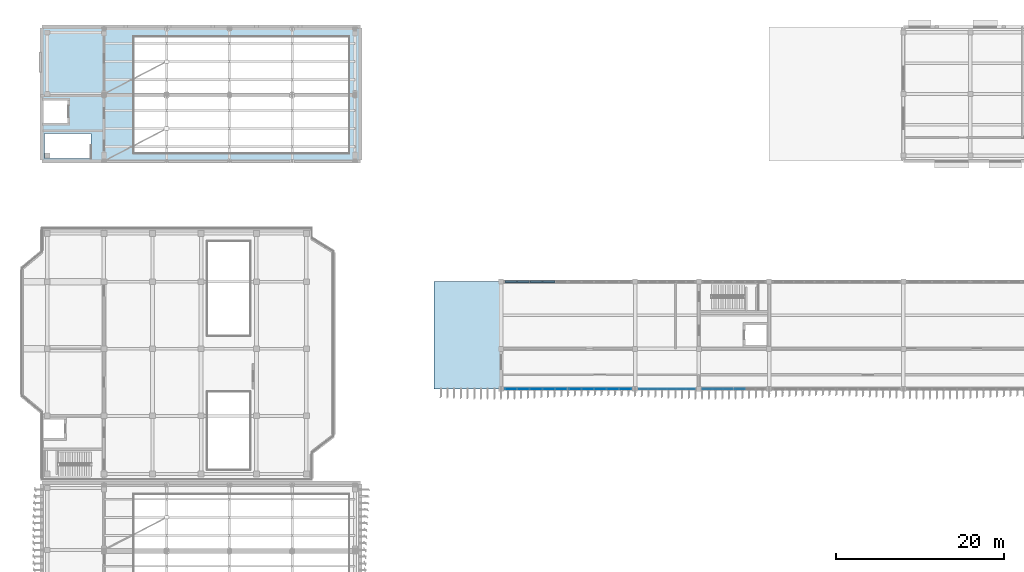
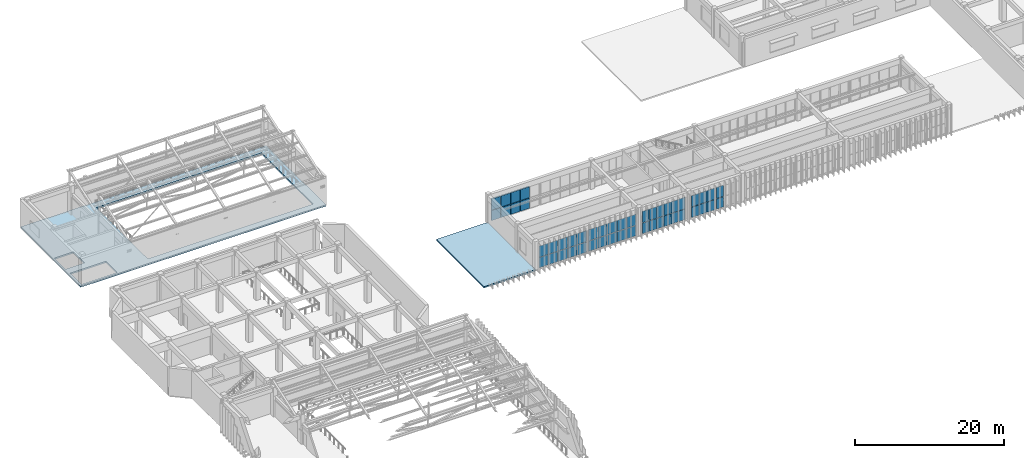
# One storey, part 43 of 76: 48 plates, 2 slabs, 6 elements without a shape of their own.
"""IFC4 building model written with IfcOpenShell, lengths in metres."""

from ifc_helpers import new_model, si_unit, direction, frame, origin, origin_2d, place, context, subcontext, project, spatial, polyline, rectangle, outline, extrude, material, layer, layer_set, type_object, element, aggregate, save


model = new_model("IFC4")

# Units and contexts
model_context = context("Model", 3, precision=1e-05, world=origin(), true_north=direction((0.0, 1.0)))
body_context = subcontext(model_context, "Body", "Model", "MODEL_VIEW")
ifc_project = project(units=[si_unit("LENGTHUNIT", "METRE"), si_unit("AREAUNIT", "SQUARE_METRE"), si_unit("VOLUMEUNIT", "CUBIC_METRE"), si_unit("PLANEANGLEUNIT", "RADIAN"), si_unit("MASSUNIT", "GRAM", prefix="KILO")], contexts=[model_context])

# Site, building, storey
site_placement = place(None, origin())
site = spatial("IfcSite", under=ifc_project, at=site_placement, CompositionType="ELEMENT")
building_placement = place(site_placement, origin())
building = spatial("IfcBuilding", under=site, at=building_placement, Name="Cinchona Park Media Centre", CompositionType="ELEMENT")
storey_placement = place(building_placement, frame((0.0, 0.0, 15.60009765625)))
storey = spatial("IfcBuildingStorey", under=building, at=storey_placement, Name="L03", CompositionType="ELEMENT", Elevation=15.60009765625)

# Curtain wall, plates
ifc_material_1 = material(Name="Aluminium Curtain Wall Framing", Category="aluminium")
ifc_layer_1 = layer(ifc_material_1, 0.284912109375)
ifc_layer_set_1 = layer_set([ifc_layer_1], Name="Aluminium Curtain Wall Framing")
curtain_wall_type_1 = type_object("IfcCurtainWallType", Name="CW-CW08", PredefinedType="USERDEFINED", material=ifc_layer_set_1)
curtain_wall_1_placement = place(storey_placement, origin())
curtain_wall_1 = element("IfcCurtainWall", 1, at=curtain_wall_1_placement, inside=storey, type_object=curtain_wall_type_1, Name="Curtain Wall CW08 L03", ObjectType="UNITISED CURTAIN WALL", PredefinedType="USERDEFINED")
ifc_material_2 = material(Name="Laminated Solar-Control Double Glazing", Category="glass")
ifc_layer_2 = layer(ifc_material_2, 0.0400390625)
ifc_layer_set_2 = layer_set([ifc_layer_2], Name="Laminated Solar-Control Double Glazing")
plate_type_1 = type_object("IfcPlateType", Name="CWPANEL-PNL03", PredefinedType="CURTAIN_PANEL", material=ifc_layer_set_2)
plate_1_placement = place(storey_placement, frame((77.612548828125, 74.800048828125, 0.1201171875), z_axis=(0.0, 0.0, 1.0), x_axis=(-1.0, 0.0, 0.0)))
plate_1 = element("IfcPlate", 2, at=plate_1_placement, type_object=plate_type_1, Name="CW08 panel 1.1", PredefinedType="CURTAIN_PANEL", context=body_context, shape_type="SweptSolid", body=[
    extrude(rectangle(XDim=1.39501953125, YDim=0.0400390625, at=origin_2d()), origin(), (0.0, 0.0, 1.0), 1.660888671875),
])
plate_2_placement = place(storey_placement, frame((77.612548828125, 74.800048828125, 1.850830078125), z_axis=(0.0, 0.0, 1.0), x_axis=(-1.0, 0.0, 0.0)))
plate_2 = element("IfcPlate", 3, at=plate_2_placement, type_object=plate_type_1, Name="CW08 panel 1.2", PredefinedType="CURTAIN_PANEL", context=body_context, shape_type="SweptSolid", body=[
    extrude(rectangle(XDim=1.39501953125, YDim=0.0400390625, at=origin_2d()), origin(), (0.0, 0.0, 1.0), 1.80908203125),
])
plate_3_placement = place(storey_placement, frame((76.1298828125, 74.800048828125, 0.1201171875), z_axis=(0.0, 0.0, 1.0), x_axis=(-1.0, 0.0, 0.0)))
plate_3 = element("IfcPlate", 4, at=plate_3_placement, type_object=plate_type_1, Name="CW08 panel 2.1", PredefinedType="CURTAIN_PANEL", context=body_context, shape_type="SweptSolid", body=[
    extrude(rectangle(XDim=1.429931640625, YDim=0.0400390625, at=origin_2d()), origin(), (0.0, 0.0, 1.0), 1.660888671875),
])
plate_4_placement = place(storey_placement, frame((76.1298828125, 74.800048828125, 1.850830078125), z_axis=(0.0, 0.0, 1.0), x_axis=(-1.0, 0.0, 0.0)))
plate_4 = element("IfcPlate", 5, at=plate_4_placement, type_object=plate_type_1, Name="CW08 panel 2.2", PredefinedType="CURTAIN_PANEL", context=body_context, shape_type="SweptSolid", body=[
    extrude(rectangle(XDim=1.429931640625, YDim=0.0400390625, at=origin_2d()), origin(), (0.0, 0.0, 1.0), 1.80908203125),
])
plate_5_placement = place(storey_placement, frame((74.6298828125, 74.800048828125, 0.1201171875), z_axis=(0.0, 0.0, 1.0), x_axis=(-1.0, 0.0, 0.0)))
plate_5 = element("IfcPlate", 6, at=plate_5_placement, type_object=plate_type_1, Name="CW08 panel 3.1", PredefinedType="CURTAIN_PANEL", context=body_context, shape_type="SweptSolid", body=[
    extrude(rectangle(XDim=1.429931640625, YDim=0.0400390625, at=origin_2d()), origin(), (0.0, 0.0, 1.0), 1.660888671875),
])
plate_6_placement = place(storey_placement, frame((74.6298828125, 74.800048828125, 1.850830078125), z_axis=(0.0, 0.0, 1.0), x_axis=(-1.0, 0.0, 0.0)))
plate_6 = element("IfcPlate", 7, at=plate_6_placement, type_object=plate_type_1, Name="CW08 panel 3.2", PredefinedType="CURTAIN_PANEL", context=body_context, shape_type="SweptSolid", body=[
    extrude(rectangle(XDim=1.429931640625, YDim=0.0400390625, at=origin_2d()), origin(), (0.0, 0.0, 1.0), 1.80908203125),
])
plate_7_placement = place(storey_placement, frame((73.1298828125, 74.800048828125, 0.1201171875), z_axis=(0.0, 0.0, 1.0), x_axis=(-1.0, 0.0, 0.0)))
plate_7 = element("IfcPlate", 8, at=plate_7_placement, type_object=plate_type_1, Name="CW08 panel 4.1", PredefinedType="CURTAIN_PANEL", context=body_context, shape_type="SweptSolid", body=[
    extrude(rectangle(XDim=1.429931640625, YDim=0.0400390625, at=origin_2d()), origin(), (0.0, 0.0, 1.0), 1.660888671875),
])
plate_8_placement = place(storey_placement, frame((73.1298828125, 74.800048828125, 1.850830078125), z_axis=(0.0, 0.0, 1.0), x_axis=(-1.0, 0.0, 0.0)))
plate_8 = element("IfcPlate", 9, at=plate_8_placement, type_object=plate_type_1, Name="CW08 panel 4.2", PredefinedType="CURTAIN_PANEL", context=body_context, shape_type="SweptSolid", body=[
    extrude(rectangle(XDim=1.429931640625, YDim=0.0400390625, at=origin_2d()), origin(), (0.0, 0.0, 1.0), 1.80908203125),
])
plate_9_placement = place(storey_placement, frame((71.6474609375, 74.800048828125, 0.1201171875), z_axis=(0.0, 0.0, 1.0), x_axis=(-1.0, 0.0, 0.0)))
plate_9 = element("IfcPlate", 10, at=plate_9_placement, type_object=plate_type_1, Name="CW08 panel 5.1", PredefinedType="CURTAIN_PANEL", context=body_context, shape_type="SweptSolid", body=[
    extrude(rectangle(XDim=1.39501953125, YDim=0.0400390625, at=origin_2d()), origin(), (0.0, 0.0, 1.0), 1.660888671875),
])
plate_10_placement = place(storey_placement, frame((71.6474609375, 74.800048828125, 1.850830078125), z_axis=(0.0, 0.0, 1.0), x_axis=(-1.0, 0.0, 0.0)))
plate_10 = element("IfcPlate", 11, at=plate_10_placement, type_object=plate_type_1, Name="CW08 panel 5.2", PredefinedType="CURTAIN_PANEL", context=body_context, shape_type="SweptSolid", body=[
    extrude(rectangle(XDim=1.39501953125, YDim=0.0400390625, at=origin_2d()), origin(), (0.0, 0.0, 1.0), 1.80908203125),
])
aggregate(curtain_wall_1, [plate_1, plate_2, plate_3, plate_4, plate_5, plate_6, plate_7, plate_8, plate_9, plate_10])

ifc_material_3 = material(Name="Aluminium Curtain Wall Framing", Category="aluminium")
ifc_layer_3 = layer(ifc_material_3, 0.300048828125)
ifc_layer_set_3 = layer_set([ifc_layer_3], Name="Aluminium Curtain Wall Framing")
curtain_wall_type_2 = type_object("IfcCurtainWallType", Name="CW-CW09", PredefinedType="USERDEFINED", material=ifc_layer_set_3)
curtain_wall_2_placement = place(storey_placement, origin())
curtain_wall_2 = element("IfcCurtainWall", 12, at=curtain_wall_2_placement, inside=storey, type_object=curtain_wall_type_2, Name="Curtain Wall CW09 L03", ObjectType="UNITISED CURTAIN WALL", PredefinedType="USERDEFINED")
ifc_material_4 = material(Name="Laminated Solar-Control Double Glazing", Category="glass")
ifc_layer_4 = layer(ifc_material_4, 0.06005859375)
ifc_layer_set_4 = layer_set([ifc_layer_4], Name="Laminated Solar-Control Double Glazing")
plate_type_2 = type_object("IfcPlateType", Name="CWPANEL-PNL05", PredefinedType="CURTAIN_PANEL", material=ifc_layer_set_4)
plate_11_placement = place(storey_placement, frame((69.952392578125, 74.800048828125, 0.1201171875), z_axis=(0.0, 0.0, 1.0), x_axis=(-1.0, 0.0, 0.0)))
plate_11 = element("IfcPlate", 13, at=plate_11_placement, type_object=plate_type_2, Name="CW09 panel 1.1", PredefinedType="CURTAIN_PANEL", context=body_context, shape_type="SweptSolid", body=[
    extrude(rectangle(XDim=1.39501953125, YDim=0.06005859375, at=origin_2d()), origin(), (0.0, 0.0, 1.0), 1.660888671875),
])
plate_12_placement = place(storey_placement, frame((69.952392578125, 74.800048828125, 1.850830078125), z_axis=(0.0, 0.0, 1.0), x_axis=(-1.0, 0.0, 0.0)))
plate_12 = element("IfcPlate", 14, at=plate_12_placement, type_object=plate_type_2, Name="CW09 panel 1.2", PredefinedType="CURTAIN_PANEL", context=body_context, shape_type="SweptSolid", body=[
    extrude(rectangle(XDim=1.39501953125, YDim=0.06005859375, at=origin_2d()), origin(), (0.0, 0.0, 1.0), 1.80908203125),
])
plate_13_placement = place(storey_placement, frame((68.469970703125, 74.800048828125, 0.1201171875), z_axis=(0.0, 0.0, 1.0), x_axis=(-1.0, 0.0, 0.0)))
plate_13 = element("IfcPlate", 15, at=plate_13_placement, type_object=plate_type_2, Name="CW09 panel 2.1", PredefinedType="CURTAIN_PANEL", context=body_context, shape_type="SweptSolid", body=[
    extrude(rectangle(XDim=1.429931640625, YDim=0.06005859375, at=origin_2d()), origin(), (0.0, 0.0, 1.0), 1.660888671875),
])
plate_14_placement = place(storey_placement, frame((68.469970703125, 74.800048828125, 1.850830078125), z_axis=(0.0, 0.0, 1.0), x_axis=(-1.0, 0.0, 0.0)))
plate_14 = element("IfcPlate", 16, at=plate_14_placement, type_object=plate_type_2, Name="CW09 panel 2.2", PredefinedType="CURTAIN_PANEL", context=body_context, shape_type="SweptSolid", body=[
    extrude(rectangle(XDim=1.429931640625, YDim=0.06005859375, at=origin_2d()), origin(), (0.0, 0.0, 1.0), 1.80908203125),
])
plate_15_placement = place(storey_placement, frame((66.969970703125, 74.800048828125, 0.1201171875), z_axis=(0.0, 0.0, 1.0), x_axis=(-1.0, 0.0, 0.0)))
plate_15 = element("IfcPlate", 17, at=plate_15_placement, type_object=plate_type_2, Name="CW09 panel 3.1", PredefinedType="CURTAIN_PANEL", context=body_context, shape_type="SweptSolid", body=[
    extrude(rectangle(XDim=1.429931640625, YDim=0.06005859375, at=origin_2d()), origin(), (0.0, 0.0, 1.0), 1.660888671875),
])
plate_16_placement = place(storey_placement, frame((66.969970703125, 74.800048828125, 1.850830078125), z_axis=(0.0, 0.0, 1.0), x_axis=(-1.0, 0.0, 0.0)))
plate_16 = element("IfcPlate", 18, at=plate_16_placement, type_object=plate_type_2, Name="CW09 panel 3.2", PredefinedType="CURTAIN_PANEL", context=body_context, shape_type="SweptSolid", body=[
    extrude(rectangle(XDim=1.429931640625, YDim=0.06005859375, at=origin_2d()), origin(), (0.0, 0.0, 1.0), 1.80908203125),
])
plate_17_placement = place(storey_placement, frame((65.469970703125, 74.800048828125, 0.1201171875), z_axis=(0.0, 0.0, 1.0), x_axis=(-1.0, 0.0, 0.0)))
plate_17 = element("IfcPlate", 19, at=plate_17_placement, type_object=plate_type_2, Name="CW09 panel 4.1", PredefinedType="CURTAIN_PANEL", context=body_context, shape_type="SweptSolid", body=[
    extrude(rectangle(XDim=1.429931640625, YDim=0.06005859375, at=origin_2d()), origin(), (0.0, 0.0, 1.0), 1.660888671875),
])
plate_18_placement = place(storey_placement, frame((65.469970703125, 74.800048828125, 1.850830078125), z_axis=(0.0, 0.0, 1.0), x_axis=(-1.0, 0.0, 0.0)))
plate_18 = element("IfcPlate", 20, at=plate_18_placement, type_object=plate_type_2, Name="CW09 panel 4.2", PredefinedType="CURTAIN_PANEL", context=body_context, shape_type="SweptSolid", body=[
    extrude(rectangle(XDim=1.429931640625, YDim=0.06005859375, at=origin_2d()), origin(), (0.0, 0.0, 1.0), 1.80908203125),
])
plate_19_placement = place(storey_placement, frame((63.987548828125, 74.800048828125, 0.1201171875), z_axis=(0.0, 0.0, 1.0), x_axis=(-1.0, 0.0, 0.0)))
plate_19 = element("IfcPlate", 21, at=plate_19_placement, type_object=plate_type_2, Name="CW09 panel 5.1", PredefinedType="CURTAIN_PANEL", context=body_context, shape_type="SweptSolid", body=[
    extrude(rectangle(XDim=1.39501953125, YDim=0.06005859375, at=origin_2d()), origin(), (0.0, 0.0, 1.0), 1.660888671875),
])
plate_20_placement = place(storey_placement, frame((63.987548828125, 74.800048828125, 1.850830078125), z_axis=(0.0, 0.0, 1.0), x_axis=(-1.0, 0.0, 0.0)))
plate_20 = element("IfcPlate", 22, at=plate_20_placement, type_object=plate_type_2, Name="CW09 panel 5.2", PredefinedType="CURTAIN_PANEL", context=body_context, shape_type="SweptSolid", body=[
    extrude(rectangle(XDim=1.39501953125, YDim=0.06005859375, at=origin_2d()), origin(), (0.0, 0.0, 1.0), 1.80908203125),
])
aggregate(curtain_wall_2, [plate_11, plate_12, plate_13, plate_14, plate_15, plate_16, plate_17, plate_18, plate_19, plate_20])

ifc_material_5 = material(Name="Aluminium Curtain Wall Framing", Category="aluminium")
ifc_layer_5 = layer(ifc_material_5, 0.179931640625)
ifc_layer_set_5 = layer_set([ifc_layer_5], Name="Aluminium Curtain Wall Framing")
curtain_wall_type_3 = type_object("IfcCurtainWallType", Name="CW-CW01", PredefinedType="USERDEFINED", material=ifc_layer_set_5)
curtain_wall_3_placement = place(storey_placement, origin())
curtain_wall_3 = element("IfcCurtainWall", 23, at=curtain_wall_3_placement, inside=storey, type_object=curtain_wall_type_3, Name="Curtain Wall CW01 L03", ObjectType="UNITISED CURTAIN WALL", PredefinedType="USERDEFINED")
ifc_material_6 = material(Name="Laminated Solar-Control Double Glazing", Category="glass")
ifc_layer_6 = layer(ifc_material_6, 0.070068359375)
ifc_layer_set_6 = layer_set([ifc_layer_6], Name="Laminated Solar-Control Double Glazing")
plate_type_3 = type_object("IfcPlateType", Name="CWPANEL-PNL06", PredefinedType="CURTAIN_PANEL", material=ifc_layer_set_6)
plate_21_placement = place(storey_placement, frame((85.400390625, 74.800048828125, 0.11474609375), z_axis=(0.0, 0.0, 1.0), x_axis=(-1.0, 0.0, 0.0)))
plate_21 = element("IfcPlate", 24, at=plate_21_placement, type_object=plate_type_3, Name="CW01 panel 1.1", PredefinedType="CURTAIN_PANEL", context=body_context, shape_type="SweptSolid", body=[
    extrude(rectangle(XDim=1.029052734375, YDim=0.070068359375, at=origin_2d()), origin(), (0.0, 0.0, 1.0), 1.716552734375),
])
plate_22_placement = place(storey_placement, frame((85.400390625, 74.800048828125, 1.896484375), z_axis=(0.0, 0.0, 1.0), x_axis=(-1.0, 0.0, 0.0)))
plate_22 = element("IfcPlate", 25, at=plate_22_placement, type_object=plate_type_3, Name="CW01 panel 1.2", PredefinedType="CURTAIN_PANEL", context=body_context, shape_type="SweptSolid", body=[
    extrude(rectangle(XDim=1.029052734375, YDim=0.070068359375, at=origin_2d()), origin(), (0.0, 0.0, 1.0), 1.868408203125),
])
plate_23_placement = place(storey_placement, frame((84.2900390625, 74.800048828125, 0.11474609375), z_axis=(0.0, 0.0, 1.0), x_axis=(-1.0, 0.0, 0.0)))
plate_23 = element("IfcPlate", 26, at=plate_23_placement, type_object=plate_type_3, Name="CW01 panel 2.1", PredefinedType="CURTAIN_PANEL", context=body_context, shape_type="SweptSolid", body=[
    extrude(rectangle(XDim=1.061767578125, YDim=0.070068359375, at=origin_2d()), origin(), (0.0, 0.0, 1.0), 1.716552734375),
])
plate_24_placement = place(storey_placement, frame((84.2900390625, 74.800048828125, 1.896484375), z_axis=(0.0, 0.0, 1.0), x_axis=(-1.0, 0.0, 0.0)))
plate_24 = element("IfcPlate", 27, at=plate_24_placement, type_object=plate_type_3, Name="CW01 panel 2.2", PredefinedType="CURTAIN_PANEL", context=body_context, shape_type="SweptSolid", body=[
    extrude(rectangle(XDim=1.061767578125, YDim=0.070068359375, at=origin_2d()), origin(), (0.0, 0.0, 1.0), 1.868408203125),
])
plate_25_placement = place(storey_placement, frame((83.163330078125, 74.800048828125, 0.11474609375), z_axis=(0.0, 0.0, 1.0), x_axis=(-1.0, 0.0, 0.0)))
plate_25 = element("IfcPlate", 28, at=plate_25_placement, type_object=plate_type_3, Name="CW01 panel 3.1", PredefinedType="CURTAIN_PANEL", context=body_context, shape_type="SweptSolid", body=[
    extrude(rectangle(XDim=1.061767578125, YDim=0.070068359375, at=origin_2d()), origin(), (0.0, 0.0, 1.0), 1.716552734375),
])
plate_26_placement = place(storey_placement, frame((83.163330078125, 74.800048828125, 1.896484375), z_axis=(0.0, 0.0, 1.0), x_axis=(-1.0, 0.0, 0.0)))
plate_26 = element("IfcPlate", 29, at=plate_26_placement, type_object=plate_type_3, Name="CW01 panel 3.2", PredefinedType="CURTAIN_PANEL", context=body_context, shape_type="SweptSolid", body=[
    extrude(rectangle(XDim=1.061767578125, YDim=0.070068359375, at=origin_2d()), origin(), (0.0, 0.0, 1.0), 1.868408203125),
])
plate_27_placement = place(storey_placement, frame((82.03662109375, 74.800048828125, 0.11474609375), z_axis=(0.0, 0.0, 1.0), x_axis=(-1.0, 0.0, 0.0)))
plate_27 = element("IfcPlate", 30, at=plate_27_placement, type_object=plate_type_3, Name="CW01 panel 4.1", PredefinedType="CURTAIN_PANEL", context=body_context, shape_type="SweptSolid", body=[
    extrude(rectangle(XDim=1.061767578125, YDim=0.070068359375, at=origin_2d()), origin(), (0.0, 0.0, 1.0), 1.716552734375),
])
plate_28_placement = place(storey_placement, frame((82.03662109375, 74.800048828125, 1.896484375), z_axis=(0.0, 0.0, 1.0), x_axis=(-1.0, 0.0, 0.0)))
plate_28 = element("IfcPlate", 31, at=plate_28_placement, type_object=plate_type_3, Name="CW01 panel 4.2", PredefinedType="CURTAIN_PANEL", context=body_context, shape_type="SweptSolid", body=[
    extrude(rectangle(XDim=1.061767578125, YDim=0.070068359375, at=origin_2d()), origin(), (0.0, 0.0, 1.0), 1.868408203125),
])
plate_29_placement = place(storey_placement, frame((80.909912109375, 74.800048828125, 0.11474609375), z_axis=(0.0, 0.0, 1.0), x_axis=(-1.0, 0.0, 0.0)))
plate_29 = element("IfcPlate", 32, at=plate_29_placement, type_object=plate_type_3, Name="CW01 panel 5.1", PredefinedType="CURTAIN_PANEL", context=body_context, shape_type="SweptSolid", body=[
    extrude(rectangle(XDim=1.061767578125, YDim=0.070068359375, at=origin_2d()), origin(), (0.0, 0.0, 1.0), 1.716552734375),
])
plate_30_placement = place(storey_placement, frame((80.909912109375, 74.800048828125, 1.896484375), z_axis=(0.0, 0.0, 1.0), x_axis=(-1.0, 0.0, 0.0)))
plate_30 = element("IfcPlate", 33, at=plate_30_placement, type_object=plate_type_3, Name="CW01 panel 5.2", PredefinedType="CURTAIN_PANEL", context=body_context, shape_type="SweptSolid", body=[
    extrude(rectangle(XDim=1.061767578125, YDim=0.070068359375, at=origin_2d()), origin(), (0.0, 0.0, 1.0), 1.868408203125),
])
plate_31_placement = place(storey_placement, frame((79.799560546875, 74.800048828125, 0.11474609375), z_axis=(0.0, 0.0, 1.0), x_axis=(-1.0, 0.0, 0.0)))
plate_31 = element("IfcPlate", 34, at=plate_31_placement, type_object=plate_type_3, Name="CW01 panel 6.1", PredefinedType="CURTAIN_PANEL", context=body_context, shape_type="SweptSolid", body=[
    extrude(rectangle(XDim=1.029052734375, YDim=0.070068359375, at=origin_2d()), origin(), (0.0, 0.0, 1.0), 1.716552734375),
])
plate_32_placement = place(storey_placement, frame((79.799560546875, 74.800048828125, 1.896484375), z_axis=(0.0, 0.0, 1.0), x_axis=(-1.0, 0.0, 0.0)))
plate_32 = element("IfcPlate", 35, at=plate_32_placement, type_object=plate_type_3, Name="CW01 panel 6.2", PredefinedType="CURTAIN_PANEL", context=body_context, shape_type="SweptSolid", body=[
    extrude(rectangle(XDim=1.029052734375, YDim=0.070068359375, at=origin_2d()), origin(), (0.0, 0.0, 1.0), 1.868408203125),
])
aggregate(curtain_wall_3, [plate_21, plate_22, plate_23, plate_24, plate_25, plate_26, plate_27, plate_28, plate_29, plate_30, plate_31, plate_32])

ifc_material_7 = material(Name="Aluminium Curtain Wall Framing", Category="aluminium")
ifc_layer_7 = layer(ifc_material_7, 0.195068359375)
ifc_layer_set_7 = layer_set([ifc_layer_7], Name="Aluminium Curtain Wall Framing")
curtain_wall_type_4 = type_object("IfcCurtainWallType", Name="CW-CW02", PredefinedType="USERDEFINED", material=ifc_layer_set_7)
curtain_wall_4_placement = place(storey_placement, origin())
curtain_wall_4 = element("IfcCurtainWall", 36, at=curtain_wall_4_placement, inside=storey, type_object=curtain_wall_type_4, Name="Curtain Wall CW02 L03", ObjectType="UNITISED CURTAIN WALL", PredefinedType="USERDEFINED")
ifc_material_8 = material(Name="Insulated Acoustic Aluminium-Glass Spandrel Cassette", Category="aluminium")
ifc_layer_8 = layer(ifc_material_8, 0.090087890625)
ifc_layer_set_8 = layer_set([ifc_layer_8], Name="Insulated Acoustic Aluminium-Glass Spandrel Cassette")
plate_type_4 = type_object("IfcPlateType", Name="CWPANEL-PNL08", PredefinedType="CURTAIN_PANEL", material=ifc_layer_set_8)
plate_33_placement = place(storey_placement, frame((91.314208984375, 74.800048828125, 0.1201171875), z_axis=(0.0, 0.0, 1.0), x_axis=(-1.0, 0.0, 0.0)))
plate_33 = element("IfcPlate", 37, at=plate_33_placement, type_object=plate_type_4, Name="CW02 panel 3.1", PredefinedType="CURTAIN_PANEL", context=body_context, shape_type="SweptSolid", body=[
    extrude(rectangle(XDim=1.12841796875, YDim=0.090087890625, at=origin_2d()), origin(), (0.0, 0.0, 1.0), 1.660888671875),
])
plate_34_placement = place(storey_placement, frame((91.314208984375, 74.800048828125, 1.850830078125), z_axis=(0.0, 0.0, 1.0), x_axis=(-1.0, 0.0, 0.0)))
plate_34 = element("IfcPlate", 38, at=plate_34_placement, type_object=plate_type_4, Name="CW02 panel 3.2", PredefinedType="CURTAIN_PANEL", context=body_context, shape_type="SweptSolid", body=[
    extrude(rectangle(XDim=1.12841796875, YDim=0.090087890625, at=origin_2d()), origin(), (0.0, 0.0, 1.0), 1.80908203125),
])
aggregate(curtain_wall_4, [plate_33, plate_34])

ifc_material_9 = material(Name="Aluminium Curtain Wall Framing", Category="aluminium")
ifc_layer_9 = layer(ifc_material_9, 0.2099609375)
ifc_layer_set_9 = layer_set([ifc_layer_9], Name="Aluminium Curtain Wall Framing")
curtain_wall_type_5 = type_object("IfcCurtainWallType", Name="CW-CW03", PredefinedType="USERDEFINED", material=ifc_layer_set_9)
curtain_wall_5_placement = place(storey_placement, origin())
curtain_wall_5 = element("IfcCurtainWall", 39, at=curtain_wall_5_placement, inside=storey, type_object=curtain_wall_type_5, Name="Curtain Wall CW03 L03", ObjectType="UNITISED CURTAIN WALL", PredefinedType="USERDEFINED")
ifc_material_10 = material(Name="Insulated Acoustic Aluminium-Glass Spandrel Cassette", Category="aluminium")
ifc_layer_10 = layer(ifc_material_10, 0.110107421875)
ifc_layer_set_10 = layer_set([ifc_layer_10], Name="Insulated Acoustic Aluminium-Glass Spandrel Cassette")
plate_type_5 = type_object("IfcPlateType", Name="CWPANEL-PNL10", PredefinedType="CURTAIN_PANEL", material=ifc_layer_set_10)
plate_35_placement = place(storey_placement, frame((89.8857421875, 74.800048828125, 0.1201171875), z_axis=(0.0, 0.0, 1.0), x_axis=(-1.0, 0.0, 0.0)))
plate_35 = element("IfcPlate", 40, at=plate_35_placement, type_object=plate_type_5, Name="CW03 panel 1.1", PredefinedType="CURTAIN_PANEL", context=body_context, shape_type="SweptSolid", body=[
    extrude(rectangle(XDim=1.12841796875, YDim=0.110107421875, at=origin_2d()), origin(), (0.0, 0.0, 1.0), 1.660888671875),
])
plate_36_placement = place(storey_placement, frame((89.8857421875, 74.800048828125, 1.850830078125), z_axis=(0.0, 0.0, 1.0), x_axis=(-1.0, 0.0, 0.0)))
plate_36 = element("IfcPlate", 41, at=plate_36_placement, type_object=plate_type_5, Name="CW03 panel 1.2", PredefinedType="CURTAIN_PANEL", context=body_context, shape_type="SweptSolid", body=[
    extrude(rectangle(XDim=1.12841796875, YDim=0.110107421875, at=origin_2d()), origin(), (0.0, 0.0, 1.0), 1.80908203125),
])
plate_37_placement = place(storey_placement, frame((88.669921875, 74.800048828125, 0.1201171875), z_axis=(0.0, 0.0, 1.0), x_axis=(-1.0, 0.0, 0.0)))
plate_37 = element("IfcPlate", 42, at=plate_37_placement, type_object=plate_type_5, Name="CW03 panel 2.1", PredefinedType="CURTAIN_PANEL", context=body_context, shape_type="SweptSolid", body=[
    extrude(rectangle(XDim=1.163330078125, YDim=0.110107421875, at=origin_2d()), origin(), (0.0, 0.0, 1.0), 1.660888671875),
])
plate_38_placement = place(storey_placement, frame((88.669921875, 74.800048828125, 1.850830078125), z_axis=(0.0, 0.0, 1.0), x_axis=(-1.0, 0.0, 0.0)))
plate_38 = element("IfcPlate", 43, at=plate_38_placement, type_object=plate_type_5, Name="CW03 panel 2.2", PredefinedType="CURTAIN_PANEL", context=body_context, shape_type="SweptSolid", body=[
    extrude(rectangle(XDim=1.163330078125, YDim=0.110107421875, at=origin_2d()), origin(), (0.0, 0.0, 1.0), 1.80908203125),
])
plate_39_placement = place(storey_placement, frame((87.4541015625, 74.800048828125, 0.1201171875), z_axis=(0.0, 0.0, 1.0), x_axis=(-1.0, 0.0, 0.0)))
plate_39 = element("IfcPlate", 44, at=plate_39_placement, type_object=plate_type_5, Name="CW03 panel 3.1", PredefinedType="CURTAIN_PANEL", context=body_context, shape_type="SweptSolid", body=[
    extrude(rectangle(XDim=1.12841796875, YDim=0.110107421875, at=origin_2d()), origin(), (0.0, 0.0, 1.0), 1.660888671875),
])
plate_40_placement = place(storey_placement, frame((87.4541015625, 74.800048828125, 1.850830078125), z_axis=(0.0, 0.0, 1.0), x_axis=(-1.0, 0.0, 0.0)))
plate_40 = element("IfcPlate", 45, at=plate_40_placement, type_object=plate_type_5, Name="CW03 panel 3.2", PredefinedType="CURTAIN_PANEL", context=body_context, shape_type="SweptSolid", body=[
    extrude(rectangle(XDim=1.12841796875, YDim=0.110107421875, at=origin_2d()), origin(), (0.0, 0.0, 1.0), 1.80908203125),
])
aggregate(curtain_wall_5, [plate_35, plate_36, plate_37, plate_38, plate_39, plate_40])

curtain_wall_6_placement = place(storey_placement, origin())
curtain_wall_6 = element("IfcCurtainWall", 46, at=curtain_wall_6_placement, inside=storey, type_object=curtain_wall_type_1, Name="Curtain Wall CW08 L03", ObjectType="UNITISED CURTAIN WALL", PredefinedType="USERDEFINED")
ifc_material_11 = material(Name="Insulated Acoustic Aluminium-Glass Spandrel Cassette", Category="aluminium")
ifc_layer_11 = layer(ifc_material_11, 0.2099609375)
ifc_layer_set_11 = layer_set([ifc_layer_11], Name="Insulated Acoustic Aluminium-Glass Spandrel Cassette")
plate_type_6 = type_object("IfcPlateType", Name="CWPANEL-PNL20", PredefinedType="CURTAIN_PANEL", material=ifc_layer_set_11)
plate_41_placement = place(storey_placement, frame((63.987548828125, 87.60009765625, 0.1201171875), z_axis=(0.0, 0.0, 1.0), x_axis=(1.0, 0.0, 0.0)))
plate_41 = element("IfcPlate", 47, at=plate_41_placement, type_object=plate_type_6, Name="CW08 panel 1.1", PredefinedType="CURTAIN_PANEL", context=body_context, shape_type="SweptSolid", body=[
    extrude(rectangle(XDim=1.39501953125, YDim=0.2099609375, at=origin_2d()), origin(), (0.0, 0.0, 1.0), 1.660888671875),
])
plate_42_placement = place(storey_placement, frame((63.987548828125, 87.60009765625, 1.850830078125), z_axis=(0.0, 0.0, 1.0), x_axis=(1.0, 0.0, 0.0)))
plate_42 = element("IfcPlate", 48, at=plate_42_placement, type_object=plate_type_6, Name="CW08 panel 1.2", PredefinedType="CURTAIN_PANEL", context=body_context, shape_type="SweptSolid", body=[
    extrude(rectangle(XDim=1.39501953125, YDim=0.2099609375, at=origin_2d()), origin(), (0.0, 0.0, 1.0), 1.80908203125),
])
plate_43_placement = place(storey_placement, frame((65.469970703125, 87.60009765625, 0.1201171875), z_axis=(0.0, 0.0, 1.0), x_axis=(1.0, 0.0, 0.0)))
plate_43 = element("IfcPlate", 49, at=plate_43_placement, type_object=plate_type_6, Name="CW08 panel 2.1", PredefinedType="CURTAIN_PANEL", context=body_context, shape_type="SweptSolid", body=[
    extrude(rectangle(XDim=1.429931640625, YDim=0.2099609375, at=origin_2d()), origin(), (0.0, 0.0, 1.0), 1.660888671875),
])
plate_44_placement = place(storey_placement, frame((65.469970703125, 87.60009765625, 1.850830078125), z_axis=(0.0, 0.0, 1.0), x_axis=(1.0, 0.0, 0.0)))
plate_44 = element("IfcPlate", 50, at=plate_44_placement, type_object=plate_type_6, Name="CW08 panel 2.2", PredefinedType="CURTAIN_PANEL", context=body_context, shape_type="SweptSolid", body=[
    extrude(rectangle(XDim=1.429931640625, YDim=0.2099609375, at=origin_2d()), origin(), (0.0, 0.0, 1.0), 1.80908203125),
])
plate_45_placement = place(storey_placement, frame((66.969970703125, 87.60009765625, 0.1201171875), z_axis=(0.0, 0.0, 1.0), x_axis=(1.0, 0.0, 0.0)))
plate_45 = element("IfcPlate", 51, at=plate_45_placement, type_object=plate_type_6, Name="CW08 panel 3.1", PredefinedType="CURTAIN_PANEL", context=body_context, shape_type="SweptSolid", body=[
    extrude(rectangle(XDim=1.429931640625, YDim=0.2099609375, at=origin_2d()), origin(), (0.0, 0.0, 1.0), 1.660888671875),
])
plate_46_placement = place(storey_placement, frame((66.969970703125, 87.60009765625, 1.850830078125), z_axis=(0.0, 0.0, 1.0), x_axis=(1.0, 0.0, 0.0)))
plate_46 = element("IfcPlate", 52, at=plate_46_placement, type_object=plate_type_6, Name="CW08 panel 3.2", PredefinedType="CURTAIN_PANEL", context=body_context, shape_type="SweptSolid", body=[
    extrude(rectangle(XDim=1.429931640625, YDim=0.2099609375, at=origin_2d()), origin(), (0.0, 0.0, 1.0), 1.80908203125),
])
plate_47_placement = place(storey_placement, frame((68.469970703125, 87.60009765625, 0.1201171875), z_axis=(0.0, 0.0, 1.0), x_axis=(1.0, 0.0, 0.0)))
plate_47 = element("IfcPlate", 53, at=plate_47_placement, type_object=plate_type_6, Name="CW08 panel 4.1", PredefinedType="CURTAIN_PANEL", context=body_context, shape_type="SweptSolid", body=[
    extrude(rectangle(XDim=1.429931640625, YDim=0.2099609375, at=origin_2d()), origin(), (0.0, 0.0, 1.0), 1.660888671875),
])
plate_48_placement = place(storey_placement, frame((68.469970703125, 87.60009765625, 1.850830078125), z_axis=(0.0, 0.0, 1.0), x_axis=(1.0, 0.0, 0.0)))
plate_48 = element("IfcPlate", 54, at=plate_48_placement, type_object=plate_type_6, Name="CW08 panel 4.2", PredefinedType="CURTAIN_PANEL", context=body_context, shape_type="SweptSolid", body=[
    extrude(rectangle(XDim=1.429931640625, YDim=0.2099609375, at=origin_2d()), origin(), (0.0, 0.0, 1.0), 1.80908203125),
])
aggregate(curtain_wall_6, [plate_41, plate_42, plate_43, plate_44, plate_45, plate_46, plate_47, plate_48])

# Slabs
ifc_material_12 = material(Name="Concrete C35/45", Category="concrete")
ifc_layer_12 = layer(ifc_material_12, 0.235107421875)
ifc_layer_set_12 = layer_set([ifc_layer_12], Name="Concrete C35/45")
slab_type_1 = type_object("IfcSlabType", Name="SLAB-RS02-235", PredefinedType="ROOF", material=ifc_layer_set_12)
slab_1_placement = place(storey_placement, frame((0.0, 0.0, -0.235107421875)))
element("IfcSlab", 55, at=slab_1_placement, inside=storey, type_object=slab_type_1, Name="Roof Slab RF-V5-L03STEPW", PredefinedType="ROOF", context=body_context, shape_type="SweptSolid", body=[
    extrude(outline(polyline([(54.800048828125, 74.800048828125), (62.780029296875, 74.800048828125), (62.780029296875, 87.60009765625), (54.800048828125, 87.60009765625), (54.800048828125, 74.800048828125)])), origin(), (0.0, 0.0, 1.0), 0.235107421875),
])
ifc_material_13 = material(Name="Concrete C35/45", Category="concrete")
ifc_layer_13 = layer(ifc_material_13, 0.239990234375)
ifc_layer_set_13 = layer_set([ifc_layer_13], Name="Concrete C35/45")
slab_type_2 = type_object("IfcSlabType", Name="SLAB-SL07-240", PredefinedType="FLOOR", material=ifc_layer_set_13)
slab_2_placement = place(storey_placement, frame((0.0, 0.0, -0.239990234375)))
element("IfcSlab", 56, at=slab_2_placement, inside=storey, type_object=slab_type_2, Name="Floor Slab V2 L03", PredefinedType="FLOOR", context=body_context, shape_type="SweptSolid", body=[
    extrude(outline(polyline([(8.0, 102.0), (46.0, 102.0), (46.0, 118.0), (8.0, 118.0), (8.0, 102.0)]), holes=[polyline([(8.300048828125, 102.300048828125), (13.864990234375, 102.300048828125), (13.864990234375, 105.300048828125), (8.300048828125, 105.300048828125), (8.300048828125, 102.300048828125)]), polyline([(8.199951171875, 106.39990234375), (11.199951171875, 106.39990234375), (11.199951171875, 109.39990234375), (8.199951171875, 109.39990234375), (8.199951171875, 106.39990234375)]), polyline([(19.0, 103.0), (44.60009765625, 103.0), (44.60009765625, 116.800048828125), (19.0, 116.800048828125), (19.0, 103.0)])]), origin(), (0.0, 0.0, 1.0), 0.239990234375),
])

save(model, "model.ifc")
